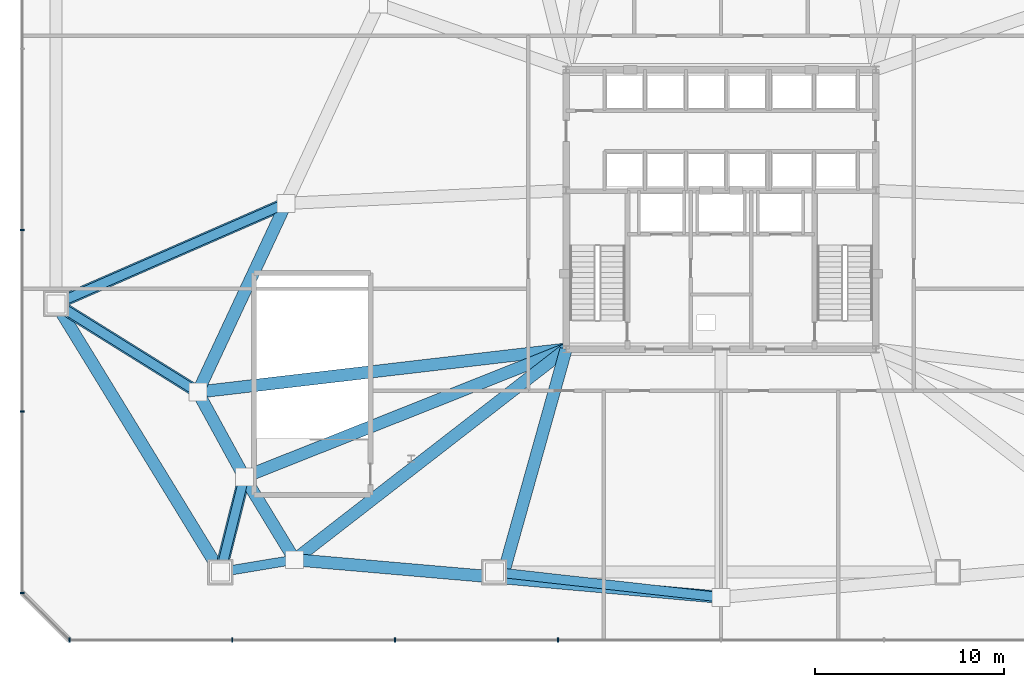
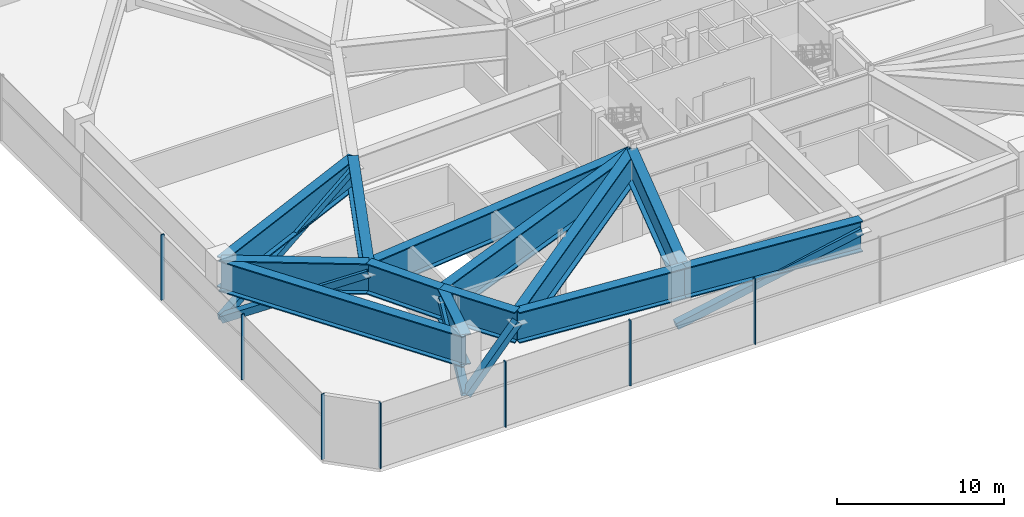
# One storey, part 5 of 29: 13 beams, 12 members, 2 elements without a shape of their own.
"""IFC4 building model written with IfcOpenShell, lengths in metres."""

import ifcopenshell
import ifcopenshell.guid

model = None  # the IFC model being written
_history = None  # IfcOwnerHistory: only IFC2X3 demands one
_inside = {}  # id of a spatial element -> (the spatial element, [elements in it])
_under = {}  # id of a project, library or spatial element -> (it, [spatial elements below it])
_declared = {}  # id of a project -> (the project, [libraries it declares])
_typed = {}  # id of a type object -> (the type object, [elements of that type])
_made_of = {}  # id of a material, layer set ... -> (it, [elements and type objects made of it])


def new_model(schema):
    """Start an empty IFC model of exactly this schema.

    Asked for "IFC4X3", IfcOpenShell would pick the latest addendum, in which some entities
    have other attributes; the version numbers below select the first issue.
    IFC2X3 requires an IfcOwnerHistory on every rooted entity: one is made here for all.
    """
    global model, _history
    if schema == "IFC4X3":
        model = ifcopenshell.file(schema_version=(4, 3, 0, 0))
    else:
        model = ifcopenshell.file(schema=schema)
    _inside.clear()
    _under.clear()
    _declared.clear()
    _typed.clear()
    _made_of.clear()
    _history = None
    if model.schema == "IFC2X3":
        org = make("IfcOrganization", Name="unknown")
        user = make(
            "IfcPersonAndOrganization",
            ThePerson=make("IfcPerson", FamilyName="unknown"),
            TheOrganization=org,
        )
        app = make(
            "IfcApplication",
            ApplicationDeveloper=org,
            Version="unknown",
            ApplicationFullName="unknown",
            ApplicationIdentifier="unknown",
        )
        _history = make(
            "IfcOwnerHistory",
            OwningUser=user,
            OwningApplication=app,
            ChangeAction="ADDED",
            CreationDate=0,
        )
    return model


def make(cls, **values):
    """One entity of the class cls with the attributes given. An attribute that is None is left unset."""
    return model.create_entity(
        cls, **{name: value for name, value in values.items() if value is not None}
    )


def rooted(cls, **values):
    """An entity with a GlobalId (a new one), such as an element, a storey or a relation."""
    return make(cls, GlobalId=ifcopenshell.guid.new(), OwnerHistory=_history, **values)


def si_unit(unit_type, name, prefix=None):
    """IfcSIUnit, for example si_unit("LENGTHUNIT", "METRE", prefix="MILLI")."""
    return make("IfcSIUnit", UnitType=unit_type, Prefix=prefix, Name=name)


def assignment(units):
    """IfcUnitAssignment: the units of a project."""
    return None if units is None else make("IfcUnitAssignment", Units=units)


def point(xyz):
    """IfcCartesianPoint."""
    return None if xyz is None else make("IfcCartesianPoint", Coordinates=xyz)


def direction(xyz):
    """IfcDirection."""
    return None if xyz is None else make("IfcDirection", DirectionRatios=xyz)


def frame(location, z_axis=None, x_axis=None):
    """IfcAxis2Placement3D, a coordinate frame: its origin and axes. An axis left out is left unset."""
    return make(
        "IfcAxis2Placement3D",
        Location=point(location),
        Axis=direction(z_axis),
        RefDirection=direction(x_axis),
    )


def frame_2d(location, x_axis=None):
    """IfcAxis2Placement2D, a coordinate frame in the plane: its origin and x axis."""
    return make(
        "IfcAxis2Placement2D", Location=point(location), RefDirection=direction(x_axis)
    )


def origin():
    """The frame at (0, 0, 0) with its axes left unset."""
    return frame((0.0, 0.0, 0.0))


def origin_2d():
    """The frame at (0, 0) in the plane with its x axis left unset."""
    return frame_2d((0.0, 0.0))


def place(relative_to, where):
    """IfcLocalPlacement: puts the frame where relative to a parent placement (None: the world)."""
    return make(
        "IfcLocalPlacement", PlacementRelTo=relative_to, RelativePlacement=where
    )


def context(
    kind, dimensions, precision=None, world=None, true_north=None, identifier=None
):
    """IfcGeometricRepresentationContext, for example the 3D "Model" context."""
    return make(
        "IfcGeometricRepresentationContext",
        ContextIdentifier=identifier,
        ContextType=kind,
        CoordinateSpaceDimension=dimensions,
        Precision=precision,
        WorldCoordinateSystem=world,
        TrueNorth=true_north,
    )


def subcontext(parent, identifier, kind, view, scale=None):
    """IfcGeometricRepresentationSubContext, for example "Body" below "Model"."""
    return make(
        "IfcGeometricRepresentationSubContext",
        ContextIdentifier=identifier,
        ContextType=kind,
        ParentContext=parent,
        TargetScale=scale,
        TargetView=view,
    )


def project(units=None, contexts=None):
    """IfcProject with its units and contexts."""
    return rooted(
        "IfcProject",
        Name="project",
        RepresentationContexts=contexts,
        UnitsInContext=assignment(units),
    )


def spatial(cls, under=None, at=None, **own):
    """A site, building, storey or space (cls), placed at a placement, below another one or the project."""
    s = rooted(cls, ObjectPlacement=at, **own)
    if under is not None:
        _under.setdefault(under.id(), (under, []))[1].append(s)
    return s


def profile(cls, at=None, kind="AREA", **sizes):
    """A parametric profile (cls). Its sizes go by their IFC names, for example OverallWidth=200.0."""
    return make(cls, ProfileType=kind, Position=at, **sizes)


def rectangle(**sizes):
    """IfcRectangleProfileDef."""
    return profile("IfcRectangleProfileDef", **sizes)


def hollow_rectangle(**sizes):
    """IfcRectangleHollowProfileDef."""
    return profile("IfcRectangleHollowProfileDef", **sizes)


def i_section(**sizes):
    """IfcIShapeProfileDef."""
    return profile("IfcIShapeProfileDef", **sizes)


def extrude(swept, where, along, depth):
    """IfcExtrudedAreaSolid: the profile swept, set in the frame where, extruded along a direction by depth."""
    return make(
        "IfcExtrudedAreaSolid",
        SweptArea=swept,
        Position=where,
        ExtrudedDirection=direction(along),
        Depth=depth,
    )


def shape(context_of_items, identifier, shape_type, items):
    """IfcShapeRepresentation: the items that make up one representation, for example the "Body"."""
    return make(
        "IfcShapeRepresentation",
        ContextOfItems=context_of_items,
        RepresentationIdentifier=identifier,
        RepresentationType=shape_type,
        Items=items,
    )


def source(mapping_origin, context_of_items, identifier, shape_type, items):
    """IfcRepresentationMap: a shape defined once, which mapped items show again and again."""
    return make(
        "IfcRepresentationMap",
        MappingOrigin=mapping_origin,
        MappedRepresentation=shape(context_of_items, identifier, shape_type, items),
    )


def transform(
    local_origin,
    x_axis=None,
    y_axis=None,
    z_axis=None,
    scale=None,
    scale2=None,
    scale3=None,
    uniform=True,
):
    """IfcCartesianTransformationOperator3D, or its non-uniform kind. x_axis, y_axis, z_axis: its Axis1, 2, 3."""
    if uniform:
        return make(
            "IfcCartesianTransformationOperator3D",
            Axis1=direction(x_axis),
            Axis2=direction(y_axis),
            LocalOrigin=point(local_origin),
            Scale=scale,
            Axis3=direction(z_axis),
        )
    return make(
        "IfcCartesianTransformationOperator3DnonUniform",
        Axis1=direction(x_axis),
        Axis2=direction(y_axis),
        LocalOrigin=point(local_origin),
        Scale=scale,
        Axis3=direction(z_axis),
        Scale2=scale2,
        Scale3=scale3,
    )


def mapped(mapping_source, mapping_target):
    """IfcMappedItem: shows the shape of a source again, moved by a transform."""
    return make(
        "IfcMappedItem", MappingSource=mapping_source, MappingTarget=mapping_target
    )


def material(Name=None, Category=None):
    """IfcMaterial."""
    return make("IfcMaterial", Name=Name, Category=Category)


def layer(
    of_material, thickness, ventilated=None, Name=None, Category=None, Priority=None
):
    """IfcMaterialLayer: one layer of a wall or slab, of a material (None: an air gap)."""
    return make(
        "IfcMaterialLayer",
        Material=of_material,
        LayerThickness=thickness,
        IsVentilated=ventilated,
        Name=Name,
        Category=Category,
        Priority=Priority,
    )


def layer_set(layers, Name=None):
    """IfcMaterialLayerSet."""
    return make("IfcMaterialLayerSet", MaterialLayers=layers, LayerSetName=Name)


def material_profile(
    of_material, cross_section, Name=None, Category=None, Priority=None
):
    """IfcMaterialProfile: a cross section and its material."""
    return make(
        "IfcMaterialProfile",
        Name=Name,
        Material=of_material,
        Profile=cross_section,
        Priority=Priority,
        Category=Category,
    )


def profile_set(profiles, Name=None, composite=None):
    """IfcMaterialProfileSet."""
    return make(
        "IfcMaterialProfileSet",
        Name=Name,
        MaterialProfiles=profiles,
        CompositeProfile=composite,
    )


def made_of(thing, what):
    """Note that an element or type object is made of a material, layer set ...; save() writes the relation."""
    if what is not None:
        _made_of.setdefault(what.id(), (what, []))[1].append(thing)
    return thing


def type_object(cls, material=None, **own):
    """A type object (cls), such as IfcWallType, which elements share."""
    return made_of(rooted(cls, **own), material)


def type_shapes(of_type, sources):
    """Give a type object the sources (RepresentationMaps) that its elements show as mapped items."""
    of_type.RepresentationMaps = sources


def element(
    cls,
    number,
    at=None,
    inside=None,
    cuts=None,
    type_object=None,
    material=None,
    context=None,
    identifier="Body",
    shape_type=None,
    held_by="IfcProductDefinitionShape",
    body=None,
    shapes=None,
    **own,
):
    """One element of the class cls, such as IfcWall. Its Tag is "e" and its number.

    at: its placement. inside: the storey or other place that contains it. cuts: it is an
    opening in that element (IfcRelVoidsElement). A single representation is given by context,
    identifier, shape_type and body (its items); several are given by shapes. held_by: the class
    of the entity that holds the representations. save() writes the other relations.
    """
    e = rooted(cls, Tag="e%d" % number, ObjectPlacement=at, **own)
    if body is not None:
        shapes = [shape(context, identifier, shape_type, body)]
    if shapes is not None:
        e.Representation = make(held_by, Representations=shapes)
    if inside is not None:
        _inside.setdefault(inside.id(), (inside, []))[1].append(e)
    if cuts is not None:
        rooted(
            "IfcRelVoidsElement", RelatingBuildingElement=cuts, RelatedOpeningElement=e
        )
    if type_object is not None:
        _typed.setdefault(type_object.id(), (type_object, []))[1].append(e)
    return made_of(e, material)


def aggregate(whole, parts):
    """IfcRelAggregates: a whole, such as a stair, and the parts it consists of."""
    return rooted("IfcRelAggregates", RelatingObject=whole, RelatedObjects=parts)


def save(model, path):
    """Write the relations noted so far, then the file.

    IfcRelAggregates (storeys below a building ...), IfcRelContainedInSpatialStructure (elements
    in a storey), IfcRelDefinesByType, IfcRelAssociatesMaterial and IfcRelDeclares: one each for
    every whole, place, type object, material and project.
    """
    for whole, parts in _under.values():
        aggregate(whole, parts)
    for where, things in _inside.values():
        rooted(
            "IfcRelContainedInSpatialStructure",
            RelatedElements=things,
            RelatingStructure=where,
        )
    for kind, things in _typed.values():
        rooted("IfcRelDefinesByType", RelatedObjects=things, RelatingType=kind)
    for what, things in _made_of.values():
        rooted("IfcRelAssociatesMaterial", RelatedObjects=things, RelatingMaterial=what)
    for by, libraries in _declared.values():
        rooted("IfcRelDeclares", RelatingContext=by, RelatedDefinitions=libraries)
    model.write(path)


model = new_model("IFC4")

# Units and contexts
model_context = context("Model", 3, precision=1e-05, world=origin(), true_north=direction((0.0, 1.0)))
body_context = subcontext(model_context, "Body", "Model", "MODEL_VIEW")
ifc_project = project(units=[si_unit("LENGTHUNIT", "METRE"), si_unit("AREAUNIT", "SQUARE_METRE"), si_unit("VOLUMEUNIT", "CUBIC_METRE"), si_unit("PLANEANGLEUNIT", "RADIAN"), si_unit("MASSUNIT", "GRAM", prefix="KILO")], contexts=[model_context])

# Site, building, storey
site_placement = place(None, origin())
site = spatial("IfcSite", under=ifc_project, at=site_placement, CompositionType="ELEMENT")
building_placement = place(site_placement, origin())
building = spatial("IfcBuilding", under=site, at=building_placement, Name="Varakhsha Concourse Tower", CompositionType="ELEMENT")
storey_placement = place(building_placement, frame((0.0, 0.0, 22.0)))
storey = spatial("IfcBuildingStorey", under=building, at=storey_placement, Name="L05", CompositionType="ELEMENT", Elevation=22.0)

# Beams
ifc_material_1 = material(Name="Structural Steel ASTM A992 Grade 50", Category="steel")
ifc_material_profile_1 = material_profile(ifc_material_1, i_section(OverallWidth=0.64990234375, OverallDepth=2.25, WebThickness=0.0400390625, FlangeThickness=0.074951171875, at=origin_2d()), Name="PG 2250x650x75x40")
ifc_profile_set_1 = profile_set([ifc_material_profile_1], Name="Structural Steel ASTM A992 Grade 50")
beam_type = type_object("IfcBeamType", Name="BM-XFER-PG1650", PredefinedType="USERDEFINED", material=ifc_profile_set_1)
beam_1_placement = place(storey_placement, frame((4.800048828125, 18.800048828125, 3.655029296875), z_axis=(0.522420415639, -0.852688049244, 0.0), x_axis=(0.852688049244, 0.522420415639, 0.0)))
element("IfcBeam", 1, at=beam_1_placement, inside=storey, type_object=beam_type, Name="L05 Stilt Perimeter Transfer Girder 12", ObjectType="GIRDER", PredefinedType="USERDEFINED", context=body_context, shape_type="SweptSolid", body=[
    extrude(i_section(OverallWidth=0.64990234375, OverallDepth=2.25, WebThickness=0.0400390625, FlangeThickness=0.074951171875, at=origin_2d()), origin(), (0.0, 0.0, 1.0), 16.653076171875),
])
beam_2_placement = place(storey_placement, frame((16.972900390625, 24.116455078125, 3.655029296875), z_axis=(-0.423468305163, -0.90591091975, 0.0), x_axis=(0.90591091975, -0.423468305163, 0.0)))
element("IfcBeam", 2, at=beam_2_placement, inside=storey, type_object=beam_type, Name="L05 Tower Base Transfer Ring Girder 06", ObjectType="GIRDER", PredefinedType="USERDEFINED", context=body_context, shape_type="SweptSolid", body=[
    extrude(i_section(OverallWidth=0.64990234375, OverallDepth=2.25, WebThickness=0.0400390625, FlangeThickness=0.074951171875, at=origin_2d()), origin(), (0.0, 0.0, 1.0), 11.0283203125),
])
beam_3_placement = place(storey_placement, frame((4.800048828125, 18.800048828125, 3.655029296875), z_axis=(0.916411934659, 0.400236387668, 0.0), x_axis=(-0.400236387668, 0.916411934659, 0.0)))
element("IfcBeam", 3, at=beam_3_placement, inside=storey, type_object=beam_type, Name="L05 Podium Transfer Girder 06", ObjectType="GIRDER", PredefinedType="USERDEFINED", context=body_context, shape_type="SweptSolid", body=[
    extrude(i_section(OverallWidth=0.64990234375, OverallDepth=2.25, WebThickness=0.0400390625, FlangeThickness=0.074951171875, at=origin_2d()), origin(), (0.0, 0.0, 1.0), 13.283203125),
])
beam_4_placement = place(storey_placement, frame((12.302734375, 14.125732421875, 3.655029296875), z_axis=(0.480189853619, -0.877164582323, 0.0), x_axis=(0.877164582323, 0.480189853619, 0.0)))
element("IfcBeam", 4, at=beam_4_placement, inside=storey, type_object=beam_type, Name="L05 Tower Base Transfer Ring Girder 07", ObjectType="GIRDER", PredefinedType="USERDEFINED", context=body_context, shape_type="SweptSolid", body=[
    extrude(i_section(OverallWidth=0.64990234375, OverallDepth=2.25, WebThickness=0.0400390625, FlangeThickness=0.074951171875, at=origin_2d()), origin(), (0.0, 0.0, 1.0), 5.12548828125),
])
beam_5_placement = place(storey_placement, frame((4.800048828125, 18.800048828125, 3.655029296875), z_axis=(0.848753079855, -0.52878938098, 0.0), x_axis=(0.52878938098, 0.848753079855, 0.0)))
element("IfcBeam", 5, at=beam_5_placement, inside=storey, type_object=beam_type, Name="L05 Podium Transfer Girder 07", ObjectType="GIRDER", PredefinedType="USERDEFINED", context=body_context, shape_type="SweptSolid", body=[
    extrude(i_section(OverallWidth=0.64990234375, OverallDepth=2.25, WebThickness=0.0400390625, FlangeThickness=0.074951171875, at=origin_2d()), origin(), (0.0, 0.0, 1.0), 8.839599609375),
])
beam_6_placement = place(storey_placement, frame((31.800048828125, 16.39990234375, 3.655029296875), z_axis=(-0.99326616886, -0.115854727125, 0.0), x_axis=(0.115854727125, -0.99326616886, 0.0)))
element("IfcBeam", 6, at=beam_6_placement, inside=storey, type_object=beam_type, Name="L05 Core Radial Transfer Girder 07", ObjectType="GIRDER", PredefinedType="USERDEFINED", context=body_context, shape_type="SweptSolid", body=[
    extrude(i_section(OverallWidth=0.64990234375, OverallDepth=2.25, WebThickness=0.0400390625, FlangeThickness=0.074951171875, at=origin_2d()), origin(), (0.0, 0.0, 1.0), 19.62939453125),
])
beam_7_placement = place(storey_placement, frame((14.763916015625, 9.6298828125, 3.655029296875), z_axis=(0.519593292706, -0.854413723072, 0.0), x_axis=(0.854413723072, 0.519593292706, 0.0)))
element("IfcBeam", 7, at=beam_7_placement, inside=storey, type_object=beam_type, Name="L05 Tower Base Transfer Ring Girder 08", ObjectType="GIRDER", PredefinedType="USERDEFINED", context=body_context, shape_type="SweptSolid", body=[
    extrude(i_section(OverallWidth=0.64990234375, OverallDepth=2.25, WebThickness=0.0400390625, FlangeThickness=0.074951171875, at=origin_2d()), origin(), (0.0, 0.0, 1.0), 5.125244140625),
])
beam_8_placement = place(storey_placement, frame((13.5, 4.60009765625, 3.655029296875), z_axis=(0.243709564326, 0.969848260428, 0.0), x_axis=(-0.969848260428, 0.243709564326, 0.0)))
element("IfcBeam", 8, at=beam_8_placement, inside=storey, type_object=beam_type, Name="L05 Podium Transfer Girder 08", ObjectType="GIRDER", PredefinedType="USERDEFINED", context=body_context, shape_type="SweptSolid", body=[
    extrude(i_section(OverallWidth=0.64990234375, OverallDepth=2.25, WebThickness=0.0400390625, FlangeThickness=0.074951171875, at=origin_2d()), origin(), (0.0, 0.0, 1.0), 5.18603515625),
])
beam_9_placement = place(storey_placement, frame((31.800048828125, 16.39990234375, 3.655029296875), z_axis=(-0.92931014112, -0.369300232348, 0.0), x_axis=(0.369300232348, -0.92931014112, 0.0)))
element("IfcBeam", 9, at=beam_9_placement, inside=storey, type_object=beam_type, Name="L05 Core Radial Transfer Girder 08", ObjectType="GIRDER", PredefinedType="USERDEFINED", context=body_context, shape_type="SweptSolid", body=[
    extrude(i_section(OverallWidth=0.64990234375, OverallDepth=2.25, WebThickness=0.0400390625, FlangeThickness=0.074951171875, at=origin_2d()), origin(), (0.0, 0.0, 1.0), 18.33203125),
])
beam_10_placement = place(storey_placement, frame((17.427001953125, 5.250732421875, 3.655029296875), z_axis=(0.996273577178, -0.086249402411, 0.0), x_axis=(0.086249402411, 0.996273577178, 0.0)))
element("IfcBeam", 10, at=beam_10_placement, inside=storey, type_object=beam_type, Name="L05 Tower Base Transfer Ring Girder 09", ObjectType="GIRDER", PredefinedType="USERDEFINED", context=body_context, shape_type="SweptSolid", body=[
    extrude(i_section(OverallWidth=0.64990234375, OverallDepth=2.25, WebThickness=0.0400390625, FlangeThickness=0.074951171875, at=origin_2d()), origin(), (0.0, 0.0, 1.0), 11.028076171875),
])
beam_11_placement = place(storey_placement, frame((31.800048828125, 16.39990234375, 3.655029296875), z_axis=(-0.790147239575, -0.612917074156, 0.0), x_axis=(0.612917074156, -0.790147239575, 0.0)))
element("IfcBeam", 11, at=beam_11_placement, inside=storey, type_object=beam_type, Name="L05 Core Radial Transfer Girder 09", ObjectType="GIRDER", PredefinedType="USERDEFINED", context=body_context, shape_type="SweptSolid", body=[
    extrude(i_section(OverallWidth=0.64990234375, OverallDepth=2.25, WebThickness=0.0400390625, FlangeThickness=0.074951171875, at=origin_2d()), origin(), (0.0, 0.0, 1.0), 18.1904296875),
])
beam_12_placement = place(storey_placement, frame((28.4140625, 4.299560546875, 3.655029296875), z_axis=(0.995998835259, -0.089366213767, 0.0), x_axis=(0.089366213767, 0.995998835259, 0.0)))
element("IfcBeam", 12, at=beam_12_placement, inside=storey, type_object=beam_type, Name="L05 Tower Base Transfer Ring Girder 10", ObjectType="GIRDER", PredefinedType="USERDEFINED", context=body_context, shape_type="SweptSolid", body=[
    extrude(i_section(OverallWidth=0.64990234375, OverallDepth=2.25, WebThickness=0.0400390625, FlangeThickness=0.074951171875, at=origin_2d()), origin(), (0.0, 0.0, 1.0), 11.632568359375),
])
beam_13_placement = place(storey_placement, frame((31.800048828125, 16.39990234375, 3.655029296875), z_axis=(-0.269474251615, -0.963007594838, 0.0), x_axis=(0.963007594838, -0.269474251615, 0.0)))
element("IfcBeam", 13, at=beam_13_placement, inside=storey, type_object=beam_type, Name="L05 Core Radial Transfer Girder 10", ObjectType="GIRDER", PredefinedType="USERDEFINED", context=body_context, shape_type="SweptSolid", body=[
    extrude(i_section(OverallWidth=0.64990234375, OverallDepth=2.25, WebThickness=0.0400390625, FlangeThickness=0.074951171875, at=origin_2d()), origin(), (0.0, 0.0, 1.0), 12.565185546875),
])

# Members
ifc_material_2 = material(Name="Structural Steel ASTM A500 Grade C", Category="steel")
ifc_material_profile_2 = material_profile(ifc_material_2, hollow_rectangle(XDim=0.5, YDim=0.5, WallThickness=0.02001953125, at=origin_2d()), Name="HSS 500x500x20")
ifc_profile_set_2 = profile_set([ifc_material_profile_2], Name="Structural Steel ASTM A500 Grade C")
member_type_1 = type_object("IfcMemberType", Name="MB-XFER-HSS500", PredefinedType="BRACE", material=ifc_profile_set_2)
shared_shape_1 = source(origin(), body_context, "Body", "SweptSolid", [
    extrude(hollow_rectangle(XDim=0.5, YDim=0.5, WallThickness=0.02001953125, at=origin_2d()), origin(), (0.0, 0.0, 1.0), 13.750732421875),
])
member_1_placement = place(storey_placement, frame((4.800048828125, 18.800048828125, 0.39990234375), z_axis=(0.885253193083, 0.386628029133, 0.258545066139), x_axis=(-0.400236387668, 0.916411934659, 0.0)))
element("IfcMember", 14, at=member_1_placement, inside=storey, type_object=member_type_1, Name="L05 Transfer Truss Diagonal 06", PredefinedType="BRACE", context=body_context, shape_type="MappedRepresentation", body=[
    mapped(shared_shape_1, transform((0.0, 0.0, 0.0), scale=1.0)),
])
shared_shape_2 = source(origin(), body_context, "Body", "SweptSolid", [
    extrude(hollow_rectangle(XDim=0.5, YDim=0.5, WallThickness=0.02001953125, at=origin_2d()), origin(), (0.0, 0.0, 1.0), 9.52783203125),
])
member_2_placement = place(storey_placement, frame((4.800048828125, 18.800048828125, 0.39990234375), z_axis=(0.78745279349, -0.490598131664, 0.373137469617), x_axis=(0.52878938098, 0.848753079855, 0.0)))
element("IfcMember", 15, at=member_2_placement, inside=storey, type_object=member_type_1, Name="L05 Transfer Truss Diagonal 07", PredefinedType="BRACE", context=body_context, shape_type="MappedRepresentation", body=[
    mapped(shared_shape_2, transform((0.0, 0.0, 0.0), scale=1.0)),
])
shared_shape_3 = source(origin(), body_context, "Body", "SweptSolid", [
    extrude(hollow_rectangle(XDim=0.5, YDim=0.5, WallThickness=0.02001953125, at=origin_2d()), origin(), (0.0, 0.0, 1.0), 6.287841796875),
])
member_3_placement = place(storey_placement, frame((13.5, 4.60009765625, 0.39990234375), z_axis=(0.201013217124, 0.79993708696, 0.565415195628), x_axis=(-0.969848260428, 0.243709564326, 0.0)))
element("IfcMember", 16, at=member_3_placement, inside=storey, type_object=member_type_1, Name="L05 Transfer Truss Diagonal 08", PredefinedType="BRACE", context=body_context, shape_type="MappedRepresentation", body=[
    mapped(shared_shape_3, transform((0.0, 0.0, 0.0), scale=1.0)),
])
shared_shape_4 = source(origin(), body_context, "Body", "SweptSolid", [
    extrude(hollow_rectangle(XDim=0.5, YDim=0.5, WallThickness=0.02001953125, at=origin_2d()), origin(), (0.0, 0.0, 1.0), 5.3369140625),
])
member_4_placement = place(storey_placement, frame((13.5, 4.60009765625, 0.39990234375), z_axis=(0.735802145326, 0.121909401137, 0.666133095445), x_axis=(-0.163454042914, 0.986550949447, 0.0)))
element("IfcMember", 17, at=member_4_placement, inside=storey, type_object=member_type_1, Name="L05 Transfer Truss Diagonal 09", PredefinedType="BRACE", context=body_context, shape_type="MappedRepresentation", body=[
    mapped(shared_shape_4, transform((0.0, 0.0, 0.0), scale=1.0)),
])
shared_shape_5 = source(origin(), body_context, "Body", "SweptSolid", [
    extrude(hollow_rectangle(XDim=0.5, YDim=0.5, WallThickness=0.02001953125, at=origin_2d()), origin(), (0.0, 0.0, 1.0), 12.587158203125),
])
type_shapes(member_type_1, [shared_shape_1, shared_shape_2, shared_shape_3, shared_shape_4, shared_shape_5])
member_5_placement = place(storey_placement, frame((28.0, 4.60009765625, 0.39990234375), z_axis=(0.953356936217, -0.106465173806, 0.282445957544), x_axis=(0.110984089432, 0.993822183236, 0.0)))
element("IfcMember", 18, at=member_5_placement, inside=storey, type_object=member_type_1, Name="L05 Transfer Truss Diagonal 11", PredefinedType="BRACE", context=body_context, shape_type="MappedRepresentation", body=[
    mapped(shared_shape_5, transform((0.0, 0.0, 0.0), scale=1.0)),
])

# Curtain wall, members
ifc_material_3 = material(Name="Anodised Bronze Architectural Aluminium AA 6063-T6", Category="aluminium")
ifc_layer = layer(ifc_material_3, 0.260009765625, Name="CW-SYS-06")
ifc_layer_set = layer_set([ifc_layer], Name="Anodised Bronze Architectural Aluminium AA 6063-T6")
curtain_wall_type = type_object("IfcCurtainWallType", Name="CW-SYS-06", PredefinedType="NOTDEFINED", material=ifc_layer_set)
curtain_wall_1_placement = place(storey_placement, origin())
curtain_wall_1 = element("IfcCurtainWall", 19, at=curtain_wall_1_placement, inside=storey, type_object=curtain_wall_type, Name="L05 Podium Curtain Wall 01", PredefinedType="NOTDEFINED")
ifc_material_profile_3 = material_profile(ifc_material_3, rectangle(XDim=0.074951171875, YDim=0.219970703125, at=origin_2d()), Name="CWM-220X75")
ifc_profile_set_3 = profile_set([ifc_material_profile_3], Name="Anodised Bronze Architectural Aluminium AA 6063-T6")
member_type_2 = type_object("IfcMemberType", Name="CWM-220X75", PredefinedType="MULLION", material=ifc_profile_set_3)
shared_shape_6 = source(origin(), body_context, "Body", "SweptSolid", [
    extrude(rectangle(XDim=0.074951171875, YDim=0.219970703125, at=origin_2d()), origin(), (0.0, 0.0, 1.0), 4.780029296875),
])
type_shapes(member_type_2, [shared_shape_6])
member_6_placement = place(storey_placement, frame((5.5, 1.0, 0.0), z_axis=(0.0, 0.0, 1.0), x_axis=(1.0, 0.0, 0.0)))
member_6 = element("IfcMember", 20, at=member_6_placement, type_object=member_type_2, Name="CW-POD-L05-01 Mullion 00", PredefinedType="MULLION", context=body_context, shape_type="MappedRepresentation", body=[
    mapped(shared_shape_6, transform((0.0, 0.0, 0.0), scale=1.0)),
])
member_7_placement = place(storey_placement, frame((14.125, 1.0, 0.0), z_axis=(0.0, 0.0, 1.0), x_axis=(1.0, 0.0, 0.0)))
member_7 = element("IfcMember", 21, at=member_7_placement, type_object=member_type_2, Name="CW-POD-L05-01 Mullion 01", PredefinedType="MULLION", context=body_context, shape_type="MappedRepresentation", body=[
    mapped(shared_shape_6, transform((0.0, 0.0, 0.0), scale=1.0)),
])
member_8_placement = place(storey_placement, frame((22.75, 1.0, 0.0), z_axis=(0.0, 0.0, 1.0), x_axis=(1.0, 0.0, 0.0)))
member_8 = element("IfcMember", 22, at=member_8_placement, type_object=member_type_2, Name="CW-POD-L05-01 Mullion 02", PredefinedType="MULLION", context=body_context, shape_type="MappedRepresentation", body=[
    mapped(shared_shape_6, transform((0.0, 0.0, 0.0), scale=1.0)),
])
member_9_placement = place(storey_placement, frame((31.375, 1.0, 0.0), z_axis=(0.0, 0.0, 1.0), x_axis=(1.0, 0.0, 0.0)))
member_9 = element("IfcMember", 23, at=member_9_placement, type_object=member_type_2, Name="CW-POD-L05-01 Mullion 03", PredefinedType="MULLION", context=body_context, shape_type="MappedRepresentation", body=[
    mapped(shared_shape_6, transform((0.0, 0.0, 0.0), scale=1.0)),
])
aggregate(curtain_wall_1, [member_6, member_7, member_8, member_9])

curtain_wall_2_placement = place(storey_placement, origin())
curtain_wall_2 = element("IfcCurtainWall", 24, at=curtain_wall_2_placement, inside=storey, type_object=curtain_wall_type, Name="L05 Podium Curtain Wall 07", PredefinedType="NOTDEFINED")
member_10_placement = place(storey_placement, frame((3.0, 22.699951171875, 0.0), z_axis=(0.0, 0.0, 1.0), x_axis=(0.0, -1.0, 0.0)))
member_10 = element("IfcMember", 25, at=member_10_placement, type_object=member_type_2, Name="CW-POD-L05-07 Mullion 03", PredefinedType="MULLION", context=body_context, shape_type="MappedRepresentation", body=[
    mapped(shared_shape_6, transform((0.0, 0.0, 0.0), scale=1.0)),
])
member_11_placement = place(storey_placement, frame((3.0, 13.10009765625, 0.0), z_axis=(0.0, 0.0, 1.0), x_axis=(0.0, -1.0, 0.0)))
member_11 = element("IfcMember", 26, at=member_11_placement, type_object=member_type_2, Name="CW-POD-L05-07 Mullion 04", PredefinedType="MULLION", context=body_context, shape_type="MappedRepresentation", body=[
    mapped(shared_shape_6, transform((0.0, 0.0, 0.0), scale=1.0)),
])
member_12_placement = place(storey_placement, frame((3.0, 3.5, 0.0), z_axis=(0.0, 0.0, 1.0), x_axis=(0.0, -1.0, 0.0)))
member_12 = element("IfcMember", 27, at=member_12_placement, type_object=member_type_2, Name="CW-POD-L05-07 Mullion 05", PredefinedType="MULLION", context=body_context, shape_type="MappedRepresentation", body=[
    mapped(shared_shape_6, transform((0.0, 0.0, 0.0), scale=1.0)),
])
aggregate(curtain_wall_2, [member_10, member_11, member_12])

save(model, "model.ifc")
